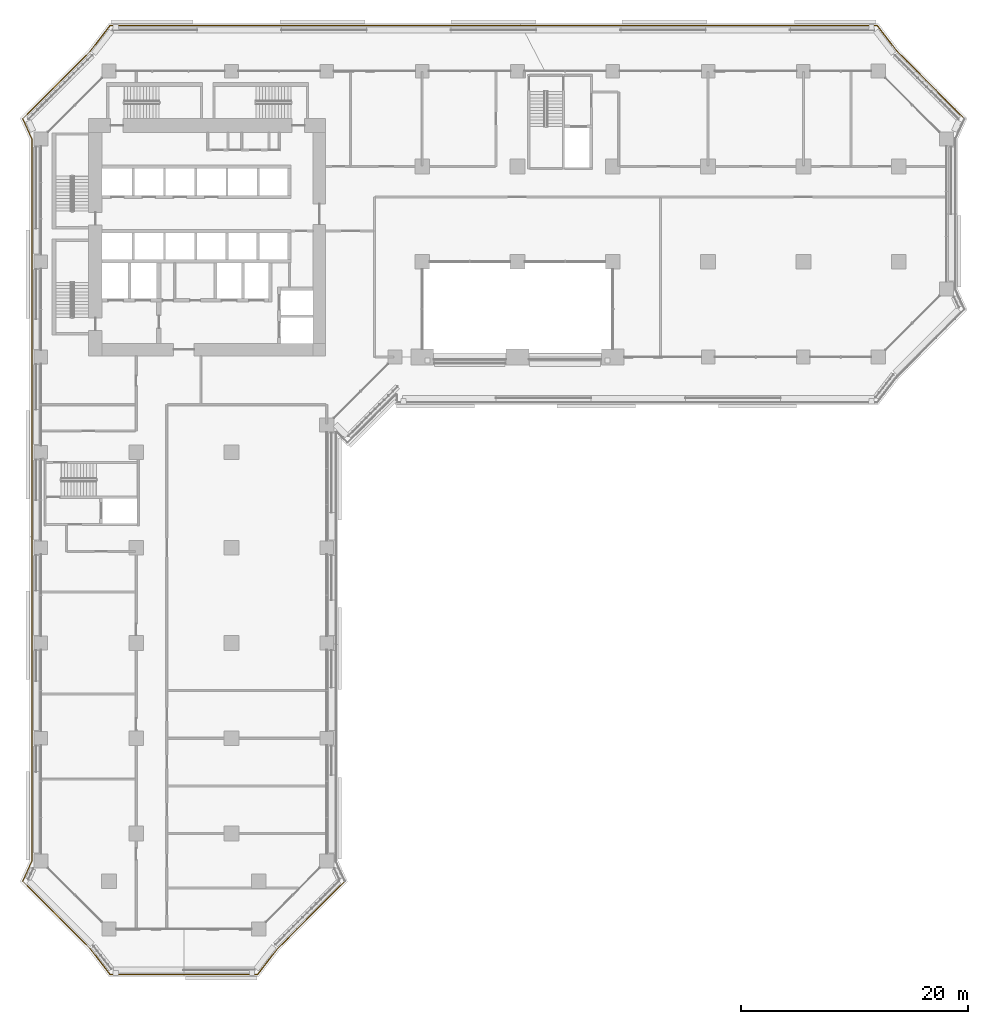
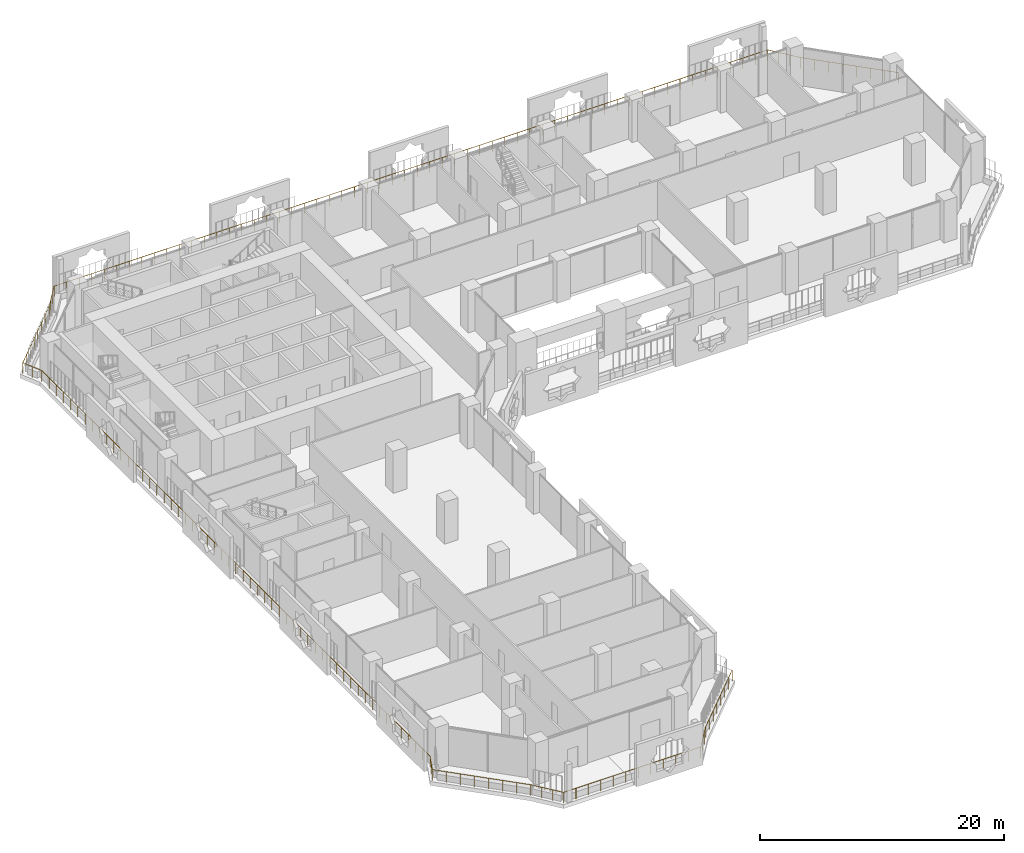
# One storey, part 22 of 27: 1 railing.
"""IFC4 building model written with IfcOpenShell, lengths in metres."""

from ifc_helpers import new_model, si_unit, direction, frame, origin, origin_2d, place, context, subcontext, project, spatial, circle, extrude, material, type_object, element, save


model = new_model("IFC4")

# Units and contexts
model_context = context("Model", 3, precision=1e-05, world=origin(), true_north=direction((0.0, 1.0)))
body_context = subcontext(model_context, "Body", "Model", "MODEL_VIEW")
ifc_project = project(units=[si_unit("LENGTHUNIT", "METRE"), si_unit("AREAUNIT", "SQUARE_METRE"), si_unit("VOLUMEUNIT", "CUBIC_METRE"), si_unit("PLANEANGLEUNIT", "RADIAN"), si_unit("MASSUNIT", "GRAM", prefix="KILO")], contexts=[model_context])

# Site, building, storey
site_placement = place(None, origin())
site = spatial("IfcSite", under=ifc_project, at=site_placement, CompositionType="ELEMENT")
building_placement = place(site_placement, origin())
building = spatial("IfcBuilding", under=site, at=building_placement, Name="Kawkab Arch Medical Tower", CompositionType="ELEMENT")
storey_placement = place(building_placement, frame((0.0, 0.0, 43.39990234375)))
storey = spatial("IfcBuildingStorey", under=building, at=storey_placement, Name="L09", CompositionType="ELEMENT", Elevation=43.39990234375)

# Railing
ifc_material = material(Name="Bronze anodised aluminium guard", Category="aluminium")
railing_type = type_object("IfcRailingType", Name="Loggia and terrace guard 1100", PredefinedType="GUARDRAIL", material=ifc_material)
railing_placement = place(storey_placement, frame((26.798095703125, -71.39501953125, 0.0)))
element("IfcRailing", 1, at=railing_placement, inside=storey, type_object=railing_type, Name="Guard L09.LOG-01.2.1", PredefinedType="GUARDRAIL", context=body_context, shape_type="SweptSolid", body=[
    extrude(circle(Radius=0.02392578125, at=origin_2d()), frame((0.0, 0.0, 1.076171875), z_axis=(-0.707121386154, -0.707092175918, 0.0), x_axis=(0.707092175918, -0.707121386154, 0.0)), (0.0, 0.0, 1.0), 8.358154296875),
    extrude(circle(Radius=0.02392578125, at=origin_2d()), frame((-5.91015625, -5.909912109375, 1.076171875), z_axis=(-0.614103336722, -0.789225627959, 0.0), x_axis=(0.789225627959, -0.614103336722, 0.0)), (0.0, 0.0, 1.0), 2.908203125),
    extrude(circle(Radius=0.02392578125, at=origin_2d()), frame((-7.696044921875, -8.205078125, 1.076171875), z_axis=(-1.0, 0.0, 0.0), x_axis=(0.0, -1.0, 0.0)), (0.0, 0.0, 1.0), 13.004150390625),
    extrude(circle(Radius=0.02392578125, at=origin_2d()), frame((-20.7001953125, -8.205078125, 1.076171875), z_axis=(-0.614103336722, 0.789225627959, 0.0), x_axis=(-0.789225627959, -0.614103336722, 0.0)), (0.0, 0.0, 1.0), 2.908203125),
    extrude(circle(Radius=0.02392578125, at=origin_2d()), frame((-22.486083984375, -5.909912109375, 1.076171875), z_axis=(-0.707106781187, 0.707106781187, 0.0), x_axis=(-0.707106781187, -0.707106781187, 0.0)), (0.0, 0.0, 1.0), 8.35791015625),
    extrude(circle(Radius=0.02392578125, at=origin_2d()), frame((-28.39599609375, 0.0, 1.076171875), z_axis=(0.414452581809, 0.910070907914, 0.0), x_axis=(-0.910070907914, 0.414452581809, 0.0)), (0.0, 0.0, 1.0), 1.925048828125),
    extrude(circle(Radius=0.02392578125, at=origin_2d()), frame((-27.59814453125, 1.751953125, 1.076171875), z_axis=(0.0, 1.0, 0.0), x_axis=(-1.0, 0.0, 0.0)), (0.0, 0.0, 1.0), 63.68603515625),
    extrude(circle(Radius=0.02392578125, at=origin_2d()), frame((-27.59814453125, 65.43798828125, 1.076171875), z_axis=(-0.414452581809, 0.910070907914, 0.0), x_axis=(-0.910070907914, -0.414452581809, 0.0)), (0.0, 0.0, 1.0), 1.925048828125),
    extrude(circle(Radius=0.02392578125, at=origin_2d()), frame((-28.39599609375, 67.18994140625, 1.076171875), z_axis=(0.707092175918, 0.707121386154, 0.0), x_axis=(-0.707121386154, 0.707092175918, 0.0)), (0.0, 0.0, 1.0), 8.358154296875),
    extrude(circle(Radius=0.02392578125, at=origin_2d()), frame((-22.486083984375, 73.10009765625, 1.076171875), z_axis=(0.614144026922, 0.789193964876, 0.0), x_axis=(-0.789193964876, 0.614144026922, 0.0)), (0.0, 0.0, 1.0), 2.907958984375),
    extrude(circle(Radius=0.02392578125, at=origin_2d()), frame((-20.7001953125, 75.39501953125, 1.076171875), z_axis=(1.0, 0.0, 0.0), x_axis=(0.0, 1.0, 0.0)), (0.0, 0.0, 1.0), 67.60400390625),
    extrude(circle(Radius=0.02392578125, at=origin_2d()), frame((46.90380859375, 75.39501953125, 1.076171875), z_axis=(0.614196313452, -0.789153273162, 0.0), x_axis=(0.789153273162, 0.614196313452, 0.0)), (0.0, 0.0, 1.0), 2.908203125),
    extrude(circle(Radius=0.02392578125, at=origin_2d()), frame((48.68994140625, 73.10009765625, 1.076171875), z_axis=(0.707092175918, -0.707121386154, 0.0), x_axis=(0.707121386154, 0.707092175918, 0.0)), (0.0, 0.0, 1.0), 8.358154296875),
    extrude(circle(Radius=0.02099609375, at=origin_2d()), origin(), (0.0, 0.0, 1.0), 1.052001953125),
    extrude(circle(Radius=0.02099609375, at=origin_2d()), frame((-0.84423828125, -0.84423828125, 0.0)), (0.0, 0.0, 1.0), 1.052001953125),
    extrude(circle(Radius=0.02099609375, at=origin_2d()), frame((-1.688720703125, -1.6884765625, 0.0)), (0.0, 0.0, 1.0), 1.052001953125),
    extrude(circle(Radius=0.02099609375, at=origin_2d()), frame((-2.532958984375, -2.53271484375, 0.0)), (0.0, 0.0, 1.0), 1.052001953125),
    extrude(circle(Radius=0.02099609375, at=origin_2d()), frame((-3.377197265625, -3.377197265625, 0.0)), (0.0, 0.0, 1.0), 1.052001953125),
    extrude(circle(Radius=0.02099609375, at=origin_2d()), frame((-4.221435546875, -4.221435546875, 0.0)), (0.0, 0.0, 1.0), 1.052001953125),
    extrude(circle(Radius=0.02099609375, at=origin_2d()), frame((-5.06591796875, -5.065673828125, 0.0)), (0.0, 0.0, 1.0), 1.052001953125),
    extrude(circle(Radius=0.02099609375, at=origin_2d()), frame((-5.91015625, -5.909912109375, 0.0)), (0.0, 0.0, 1.0), 1.052001953125),
    extrude(circle(Radius=0.02099609375, at=origin_2d()), frame((-6.50537109375, -6.675048828125, 0.0)), (0.0, 0.0, 1.0), 1.052001953125),
    extrude(circle(Radius=0.02099609375, at=origin_2d()), frame((-7.100830078125, -7.43994140625, 0.0)), (0.0, 0.0, 1.0), 1.052001953125),
    extrude(circle(Radius=0.02099609375, at=origin_2d()), frame((-7.696044921875, -8.205078125, 0.0)), (0.0, 0.0, 1.0), 1.052001953125),
    extrude(circle(Radius=0.02099609375, at=origin_2d()), frame((-8.878173828125, -8.205078125, 0.0)), (0.0, 0.0, 1.0), 1.052001953125),
    extrude(circle(Radius=0.02099609375, at=origin_2d()), frame((-10.060546875, -8.205078125, 0.0)), (0.0, 0.0, 1.0), 1.052001953125),
    extrude(circle(Radius=0.02099609375, at=origin_2d()), frame((-11.24267578125, -8.205078125, 0.0)), (0.0, 0.0, 1.0), 1.052001953125),
    extrude(circle(Radius=0.02099609375, at=origin_2d()), frame((-12.4248046875, -8.205078125, 0.0)), (0.0, 0.0, 1.0), 1.052001953125),
    extrude(circle(Radius=0.02099609375, at=origin_2d()), frame((-13.60693359375, -8.205078125, 0.0)), (0.0, 0.0, 1.0), 1.052001953125),
    extrude(circle(Radius=0.02099609375, at=origin_2d()), frame((-14.789306640625, -8.205078125, 0.0)), (0.0, 0.0, 1.0), 1.052001953125),
    extrude(circle(Radius=0.02099609375, at=origin_2d()), frame((-15.971435546875, -8.205078125, 0.0)), (0.0, 0.0, 1.0), 1.052001953125),
    extrude(circle(Radius=0.02099609375, at=origin_2d()), frame((-17.153564453125, -8.205078125, 0.0)), (0.0, 0.0, 1.0), 1.052001953125),
    extrude(circle(Radius=0.02099609375, at=origin_2d()), frame((-18.335693359375, -8.205078125, 0.0)), (0.0, 0.0, 1.0), 1.052001953125),
    extrude(circle(Radius=0.02099609375, at=origin_2d()), frame((-19.51806640625, -8.205078125, 0.0)), (0.0, 0.0, 1.0), 1.052001953125),
    extrude(circle(Radius=0.02099609375, at=origin_2d()), frame((-20.7001953125, -8.205078125, 0.0)), (0.0, 0.0, 1.0), 1.052001953125),
    extrude(circle(Radius=0.02099609375, at=origin_2d()), frame((-21.29541015625, -7.43994140625, 0.0)), (0.0, 0.0, 1.0), 1.052001953125),
    extrude(circle(Radius=0.02099609375, at=origin_2d()), frame((-21.890869140625, -6.675048828125, 0.0)), (0.0, 0.0, 1.0), 1.052001953125),
    extrude(circle(Radius=0.02099609375, at=origin_2d()), frame((-22.486083984375, -5.909912109375, 0.0)), (0.0, 0.0, 1.0), 1.052001953125),
    extrude(circle(Radius=0.02099609375, at=origin_2d()), frame((-23.330322265625, -5.065673828125, 0.0)), (0.0, 0.0, 1.0), 1.052001953125),
    extrude(circle(Radius=0.02099609375, at=origin_2d()), frame((-24.174560546875, -4.221435546875, 0.0)), (0.0, 0.0, 1.0), 1.052001953125),
    extrude(circle(Radius=0.02099609375, at=origin_2d()), frame((-25.018798828125, -3.377197265625, 0.0)), (0.0, 0.0, 1.0), 1.052001953125),
    extrude(circle(Radius=0.02099609375, at=origin_2d()), frame((-25.86328125, -2.53271484375, 0.0)), (0.0, 0.0, 1.0), 1.052001953125),
    extrude(circle(Radius=0.02099609375, at=origin_2d()), frame((-26.70751953125, -1.6884765625, 0.0)), (0.0, 0.0, 1.0), 1.052001953125),
    extrude(circle(Radius=0.02099609375, at=origin_2d()), frame((-27.5517578125, -0.84423828125, 0.0)), (0.0, 0.0, 1.0), 1.052001953125),
    extrude(circle(Radius=0.02099609375, at=origin_2d()), frame((-28.39599609375, 0.0, 0.0)), (0.0, 0.0, 1.0), 1.052001953125),
    extrude(circle(Radius=0.02099609375, at=origin_2d()), frame((-27.9970703125, 0.8759765625, 0.0)), (0.0, 0.0, 1.0), 1.052001953125),
    extrude(circle(Radius=0.02099609375, at=origin_2d()), frame((-27.59814453125, 1.751953125, 0.0)), (0.0, 0.0, 1.0), 1.052001953125),
    extrude(circle(Radius=0.02099609375, at=origin_2d()), frame((-27.59814453125, 2.931396484375, 0.0)), (0.0, 0.0, 1.0), 1.052001953125),
    extrude(circle(Radius=0.02099609375, at=origin_2d()), frame((-27.59814453125, 4.110595703125, 0.0)), (0.0, 0.0, 1.0), 1.052001953125),
    extrude(circle(Radius=0.02099609375, at=origin_2d()), frame((-27.59814453125, 5.2900390625, 0.0)), (0.0, 0.0, 1.0), 1.052001953125),
    extrude(circle(Radius=0.02099609375, at=origin_2d()), frame((-27.59814453125, 6.469482421875, 0.0)), (0.0, 0.0, 1.0), 1.052001953125),
    extrude(circle(Radius=0.02099609375, at=origin_2d()), frame((-27.59814453125, 7.64892578125, 0.0)), (0.0, 0.0, 1.0), 1.052001953125),
    extrude(circle(Radius=0.02099609375, at=origin_2d()), frame((-27.59814453125, 8.828125, 0.0)), (0.0, 0.0, 1.0), 1.052001953125),
    extrude(circle(Radius=0.02099609375, at=origin_2d()), frame((-27.59814453125, 10.007568359375, 0.0)), (0.0, 0.0, 1.0), 1.052001953125),
    extrude(circle(Radius=0.02099609375, at=origin_2d()), frame((-27.59814453125, 11.18701171875, 0.0)), (0.0, 0.0, 1.0), 1.052001953125),
    extrude(circle(Radius=0.02099609375, at=origin_2d()), frame((-27.59814453125, 12.3662109375, 0.0)), (0.0, 0.0, 1.0), 1.052001953125),
    extrude(circle(Radius=0.02099609375, at=origin_2d()), frame((-27.59814453125, 13.545654296875, 0.0)), (0.0, 0.0, 1.0), 1.052001953125),
    extrude(circle(Radius=0.02099609375, at=origin_2d()), frame((-27.59814453125, 14.72509765625, 0.0)), (0.0, 0.0, 1.0), 1.052001953125),
    extrude(circle(Radius=0.02099609375, at=origin_2d()), frame((-27.59814453125, 15.904296875, 0.0)), (0.0, 0.0, 1.0), 1.052001953125),
    extrude(circle(Radius=0.02099609375, at=origin_2d()), frame((-27.59814453125, 17.083740234375, 0.0)), (0.0, 0.0, 1.0), 1.052001953125),
    extrude(circle(Radius=0.02099609375, at=origin_2d()), frame((-27.59814453125, 18.26318359375, 0.0)), (0.0, 0.0, 1.0), 1.052001953125),
    extrude(circle(Radius=0.02099609375, at=origin_2d()), frame((-27.59814453125, 19.442626953125, 0.0)), (0.0, 0.0, 1.0), 1.052001953125),
    extrude(circle(Radius=0.02099609375, at=origin_2d()), frame((-27.59814453125, 20.621826171875, 0.0)), (0.0, 0.0, 1.0), 1.052001953125),
    extrude(circle(Radius=0.02099609375, at=origin_2d()), frame((-27.59814453125, 21.80126953125, 0.0)), (0.0, 0.0, 1.0), 1.052001953125),
    extrude(circle(Radius=0.02099609375, at=origin_2d()), frame((-27.59814453125, 22.980712890625, 0.0)), (0.0, 0.0, 1.0), 1.052001953125),
    extrude(circle(Radius=0.02099609375, at=origin_2d()), frame((-27.59814453125, 24.159912109375, 0.0)), (0.0, 0.0, 1.0), 1.052001953125),
    extrude(circle(Radius=0.02099609375, at=origin_2d()), frame((-27.59814453125, 25.33935546875, 0.0)), (0.0, 0.0, 1.0), 1.052001953125),
    extrude(circle(Radius=0.02099609375, at=origin_2d()), frame((-27.59814453125, 26.518798828125, 0.0)), (0.0, 0.0, 1.0), 1.052001953125),
    extrude(circle(Radius=0.02099609375, at=origin_2d()), frame((-27.59814453125, 27.697998046875, 0.0)), (0.0, 0.0, 1.0), 1.052001953125),
    extrude(circle(Radius=0.02099609375, at=origin_2d()), frame((-27.59814453125, 28.87744140625, 0.0)), (0.0, 0.0, 1.0), 1.052001953125),
    extrude(circle(Radius=0.02099609375, at=origin_2d()), frame((-27.59814453125, 30.056884765625, 0.0)), (0.0, 0.0, 1.0), 1.052001953125),
    extrude(circle(Radius=0.02099609375, at=origin_2d()), frame((-27.59814453125, 31.236328125, 0.0)), (0.0, 0.0, 1.0), 1.052001953125),
    extrude(circle(Radius=0.02099609375, at=origin_2d()), frame((-27.59814453125, 32.41552734375, 0.0)), (0.0, 0.0, 1.0), 1.052001953125),
    extrude(circle(Radius=0.02099609375, at=origin_2d()), frame((-27.59814453125, 33.594970703125, 0.0)), (0.0, 0.0, 1.0), 1.052001953125),
    extrude(circle(Radius=0.02099609375, at=origin_2d()), frame((-27.59814453125, 34.7744140625, 0.0)), (0.0, 0.0, 1.0), 1.052001953125),
    extrude(circle(Radius=0.02099609375, at=origin_2d()), frame((-27.59814453125, 35.95361328125, 0.0)), (0.0, 0.0, 1.0), 1.052001953125),
    extrude(circle(Radius=0.02099609375, at=origin_2d()), frame((-27.59814453125, 37.133056640625, 0.0)), (0.0, 0.0, 1.0), 1.052001953125),
    extrude(circle(Radius=0.02099609375, at=origin_2d()), frame((-27.59814453125, 38.3125, 0.0)), (0.0, 0.0, 1.0), 1.052001953125),
    extrude(circle(Radius=0.02099609375, at=origin_2d()), frame((-27.59814453125, 39.491943359375, 0.0)), (0.0, 0.0, 1.0), 1.052001953125),
    extrude(circle(Radius=0.02099609375, at=origin_2d()), frame((-27.59814453125, 40.671142578125, 0.0)), (0.0, 0.0, 1.0), 1.052001953125),
    extrude(circle(Radius=0.02099609375, at=origin_2d()), frame((-27.59814453125, 41.8505859375, 0.0)), (0.0, 0.0, 1.0), 1.052001953125),
    extrude(circle(Radius=0.02099609375, at=origin_2d()), frame((-27.59814453125, 43.030029296875, 0.0)), (0.0, 0.0, 1.0), 1.052001953125),
    extrude(circle(Radius=0.02099609375, at=origin_2d()), frame((-27.59814453125, 44.209228515625, 0.0)), (0.0, 0.0, 1.0), 1.052001953125),
    extrude(circle(Radius=0.02099609375, at=origin_2d()), frame((-27.59814453125, 45.388671875, 0.0)), (0.0, 0.0, 1.0), 1.052001953125),
    extrude(circle(Radius=0.02099609375, at=origin_2d()), frame((-27.59814453125, 46.568115234375, 0.0)), (0.0, 0.0, 1.0), 1.052001953125),
    extrude(circle(Radius=0.02099609375, at=origin_2d()), frame((-27.59814453125, 47.747314453125, 0.0)), (0.0, 0.0, 1.0), 1.052001953125),
    extrude(circle(Radius=0.02099609375, at=origin_2d()), frame((-27.59814453125, 48.9267578125, 0.0)), (0.0, 0.0, 1.0), 1.052001953125),
    extrude(circle(Radius=0.02099609375, at=origin_2d()), frame((-27.59814453125, 50.106201171875, 0.0)), (0.0, 0.0, 1.0), 1.052001953125),
    extrude(circle(Radius=0.02099609375, at=origin_2d()), frame((-27.59814453125, 51.28564453125, 0.0)), (0.0, 0.0, 1.0), 1.052001953125),
    extrude(circle(Radius=0.02099609375, at=origin_2d()), frame((-27.59814453125, 52.46484375, 0.0)), (0.0, 0.0, 1.0), 1.052001953125),
    extrude(circle(Radius=0.02099609375, at=origin_2d()), frame((-27.59814453125, 53.644287109375, 0.0)), (0.0, 0.0, 1.0), 1.052001953125),
    extrude(circle(Radius=0.02099609375, at=origin_2d()), frame((-27.59814453125, 54.82373046875, 0.0)), (0.0, 0.0, 1.0), 1.052001953125),
    extrude(circle(Radius=0.02099609375, at=origin_2d()), frame((-27.59814453125, 56.0029296875, 0.0)), (0.0, 0.0, 1.0), 1.052001953125),
    extrude(circle(Radius=0.02099609375, at=origin_2d()), frame((-27.59814453125, 57.182373046875, 0.0)), (0.0, 0.0, 1.0), 1.052001953125),
    extrude(circle(Radius=0.02099609375, at=origin_2d()), frame((-27.59814453125, 58.36181640625, 0.0)), (0.0, 0.0, 1.0), 1.052001953125),
    extrude(circle(Radius=0.02099609375, at=origin_2d()), frame((-27.59814453125, 59.541015625, 0.0)), (0.0, 0.0, 1.0), 1.052001953125),
    extrude(circle(Radius=0.02099609375, at=origin_2d()), frame((-27.59814453125, 60.720458984375, 0.0)), (0.0, 0.0, 1.0), 1.052001953125),
    extrude(circle(Radius=0.02099609375, at=origin_2d()), frame((-27.59814453125, 61.89990234375, 0.0)), (0.0, 0.0, 1.0), 1.052001953125),
    extrude(circle(Radius=0.02099609375, at=origin_2d()), frame((-27.59814453125, 63.079345703125, 0.0)), (0.0, 0.0, 1.0), 1.052001953125),
    extrude(circle(Radius=0.02099609375, at=origin_2d()), frame((-27.59814453125, 64.258544921875, 0.0)), (0.0, 0.0, 1.0), 1.052001953125),
    extrude(circle(Radius=0.02099609375, at=origin_2d()), frame((-27.59814453125, 65.43798828125, 0.0)), (0.0, 0.0, 1.0), 1.052001953125),
    extrude(circle(Radius=0.02099609375, at=origin_2d()), frame((-27.9970703125, 66.31396484375, 0.0)), (0.0, 0.0, 1.0), 1.052001953125),
    extrude(circle(Radius=0.02099609375, at=origin_2d()), frame((-28.39599609375, 67.18994140625, 0.0)), (0.0, 0.0, 1.0), 1.052001953125),
    extrude(circle(Radius=0.02099609375, at=origin_2d()), frame((-27.5517578125, 68.0341796875, 0.0)), (0.0, 0.0, 1.0), 1.052001953125),
    extrude(circle(Radius=0.02099609375, at=origin_2d()), frame((-26.70751953125, 68.878662109375, 0.0)), (0.0, 0.0, 1.0), 1.052001953125),
    extrude(circle(Radius=0.02099609375, at=origin_2d()), frame((-25.86328125, 69.722900390625, 0.0)), (0.0, 0.0, 1.0), 1.052001953125),
    extrude(circle(Radius=0.02099609375, at=origin_2d()), frame((-25.018798828125, 70.567138671875, 0.0)), (0.0, 0.0, 1.0), 1.052001953125),
    extrude(circle(Radius=0.02099609375, at=origin_2d()), frame((-24.174560546875, 71.411376953125, 0.0)), (0.0, 0.0, 1.0), 1.052001953125),
    extrude(circle(Radius=0.02099609375, at=origin_2d()), frame((-23.330322265625, 72.255859375, 0.0)), (0.0, 0.0, 1.0), 1.052001953125),
    extrude(circle(Radius=0.02099609375, at=origin_2d()), frame((-22.486083984375, 73.10009765625, 0.0)), (0.0, 0.0, 1.0), 1.052001953125),
    extrude(circle(Radius=0.02099609375, at=origin_2d()), frame((-21.890869140625, 73.864990234375, 0.0)), (0.0, 0.0, 1.0), 1.052001953125),
    extrude(circle(Radius=0.02099609375, at=origin_2d()), frame((-21.29541015625, 74.630126953125, 0.0)), (0.0, 0.0, 1.0), 1.052001953125),
    extrude(circle(Radius=0.02099609375, at=origin_2d()), frame((-20.7001953125, 75.39501953125, 0.0)), (0.0, 0.0, 1.0), 1.052001953125),
    extrude(circle(Radius=0.02099609375, at=origin_2d()), frame((-19.51416015625, 75.39501953125, 0.0)), (0.0, 0.0, 1.0), 1.052001953125),
    extrude(circle(Radius=0.02099609375, at=origin_2d()), frame((-18.328125, 75.39501953125, 0.0)), (0.0, 0.0, 1.0), 1.052001953125),
    extrude(circle(Radius=0.02099609375, at=origin_2d()), frame((-17.14208984375, 75.39501953125, 0.0)), (0.0, 0.0, 1.0), 1.052001953125),
    extrude(circle(Radius=0.02099609375, at=origin_2d()), frame((-15.9560546875, 75.39501953125, 0.0)), (0.0, 0.0, 1.0), 1.052001953125),
    extrude(circle(Radius=0.02099609375, at=origin_2d()), frame((-14.77001953125, 75.39501953125, 0.0)), (0.0, 0.0, 1.0), 1.052001953125),
    extrude(circle(Radius=0.02099609375, at=origin_2d()), frame((-13.583984375, 75.39501953125, 0.0)), (0.0, 0.0, 1.0), 1.052001953125),
    extrude(circle(Radius=0.02099609375, at=origin_2d()), frame((-12.39794921875, 75.39501953125, 0.0)), (0.0, 0.0, 1.0), 1.052001953125),
    extrude(circle(Radius=0.02099609375, at=origin_2d()), frame((-11.2119140625, 75.39501953125, 0.0)), (0.0, 0.0, 1.0), 1.052001953125),
    extrude(circle(Radius=0.02099609375, at=origin_2d()), frame((-10.02587890625, 75.39501953125, 0.0)), (0.0, 0.0, 1.0), 1.052001953125),
    extrude(circle(Radius=0.02099609375, at=origin_2d()), frame((-8.83984375, 75.39501953125, 0.0)), (0.0, 0.0, 1.0), 1.052001953125),
    extrude(circle(Radius=0.02099609375, at=origin_2d()), frame((-7.65380859375, 75.39501953125, 0.0)), (0.0, 0.0, 1.0), 1.052001953125),
    extrude(circle(Radius=0.02099609375, at=origin_2d()), frame((-6.4677734375, 75.39501953125, 0.0)), (0.0, 0.0, 1.0), 1.052001953125),
    extrude(circle(Radius=0.02099609375, at=origin_2d()), frame((-5.28173828125, 75.39501953125, 0.0)), (0.0, 0.0, 1.0), 1.052001953125),
    extrude(circle(Radius=0.02099609375, at=origin_2d()), frame((-4.095703125, 75.39501953125, 0.0)), (0.0, 0.0, 1.0), 1.052001953125),
    extrude(circle(Radius=0.02099609375, at=origin_2d()), frame((-2.90966796875, 75.39501953125, 0.0)), (0.0, 0.0, 1.0), 1.052001953125),
    extrude(circle(Radius=0.02099609375, at=origin_2d()), frame((-1.7236328125, 75.39501953125, 0.0)), (0.0, 0.0, 1.0), 1.052001953125),
    extrude(circle(Radius=0.02099609375, at=origin_2d()), frame((-0.53759765625, 75.39501953125, 0.0)), (0.0, 0.0, 1.0), 1.052001953125),
    extrude(circle(Radius=0.02099609375, at=origin_2d()), frame((0.6484375, 75.39501953125, 0.0)), (0.0, 0.0, 1.0), 1.052001953125),
    extrude(circle(Radius=0.02099609375, at=origin_2d()), frame((1.83447265625, 75.39501953125, 0.0)), (0.0, 0.0, 1.0), 1.052001953125),
    extrude(circle(Radius=0.02099609375, at=origin_2d()), frame((3.0205078125, 75.39501953125, 0.0)), (0.0, 0.0, 1.0), 1.052001953125),
    extrude(circle(Radius=0.02099609375, at=origin_2d()), frame((4.20654296875, 75.39501953125, 0.0)), (0.0, 0.0, 1.0), 1.052001953125),
    extrude(circle(Radius=0.02099609375, at=origin_2d()), frame((5.392578125, 75.39501953125, 0.0)), (0.0, 0.0, 1.0), 1.052001953125),
    extrude(circle(Radius=0.02099609375, at=origin_2d()), frame((6.57861328125, 75.39501953125, 0.0)), (0.0, 0.0, 1.0), 1.052001953125),
    extrude(circle(Radius=0.02099609375, at=origin_2d()), frame((7.7646484375, 75.39501953125, 0.0)), (0.0, 0.0, 1.0), 1.052001953125),
    extrude(circle(Radius=0.02099609375, at=origin_2d()), frame((8.95068359375, 75.39501953125, 0.0)), (0.0, 0.0, 1.0), 1.052001953125),
    extrude(circle(Radius=0.02099609375, at=origin_2d()), frame((10.13671875, 75.39501953125, 0.0)), (0.0, 0.0, 1.0), 1.052001953125),
    extrude(circle(Radius=0.02099609375, at=origin_2d()), frame((11.32275390625, 75.39501953125, 0.0)), (0.0, 0.0, 1.0), 1.052001953125),
    extrude(circle(Radius=0.02099609375, at=origin_2d()), frame((12.5087890625, 75.39501953125, 0.0)), (0.0, 0.0, 1.0), 1.052001953125),
    extrude(circle(Radius=0.02099609375, at=origin_2d()), frame((13.69482421875, 75.39501953125, 0.0)), (0.0, 0.0, 1.0), 1.052001953125),
    extrude(circle(Radius=0.02099609375, at=origin_2d()), frame((14.880859375, 75.39501953125, 0.0)), (0.0, 0.0, 1.0), 1.052001953125),
    extrude(circle(Radius=0.02099609375, at=origin_2d()), frame((16.06689453125, 75.39501953125, 0.0)), (0.0, 0.0, 1.0), 1.052001953125),
    extrude(circle(Radius=0.02099609375, at=origin_2d()), frame((17.2529296875, 75.39501953125, 0.0)), (0.0, 0.0, 1.0), 1.052001953125),
    extrude(circle(Radius=0.02099609375, at=origin_2d()), frame((18.43896484375, 75.39501953125, 0.0)), (0.0, 0.0, 1.0), 1.052001953125),
    extrude(circle(Radius=0.02099609375, at=origin_2d()), frame((19.625, 75.39501953125, 0.0)), (0.0, 0.0, 1.0), 1.052001953125),
    extrude(circle(Radius=0.02099609375, at=origin_2d()), frame((20.81103515625, 75.39501953125, 0.0)), (0.0, 0.0, 1.0), 1.052001953125),
    extrude(circle(Radius=0.02099609375, at=origin_2d()), frame((21.9970703125, 75.39501953125, 0.0)), (0.0, 0.0, 1.0), 1.052001953125),
    extrude(circle(Radius=0.02099609375, at=origin_2d()), frame((23.18310546875, 75.39501953125, 0.0)), (0.0, 0.0, 1.0), 1.052001953125),
    extrude(circle(Radius=0.02099609375, at=origin_2d()), frame((24.369140625, 75.39501953125, 0.0)), (0.0, 0.0, 1.0), 1.052001953125),
    extrude(circle(Radius=0.02099609375, at=origin_2d()), frame((25.55517578125, 75.39501953125, 0.0)), (0.0, 0.0, 1.0), 1.052001953125),
    extrude(circle(Radius=0.02099609375, at=origin_2d()), frame((26.7412109375, 75.39501953125, 0.0)), (0.0, 0.0, 1.0), 1.052001953125),
    extrude(circle(Radius=0.02099609375, at=origin_2d()), frame((27.92724609375, 75.39501953125, 0.0)), (0.0, 0.0, 1.0), 1.052001953125),
    extrude(circle(Radius=0.02099609375, at=origin_2d()), frame((29.11328125, 75.39501953125, 0.0)), (0.0, 0.0, 1.0), 1.052001953125),
    extrude(circle(Radius=0.02099609375, at=origin_2d()), frame((30.29931640625, 75.39501953125, 0.0)), (0.0, 0.0, 1.0), 1.052001953125),
    extrude(circle(Radius=0.02099609375, at=origin_2d()), frame((31.4853515625, 75.39501953125, 0.0)), (0.0, 0.0, 1.0), 1.052001953125),
    extrude(circle(Radius=0.02099609375, at=origin_2d()), frame((32.67138671875, 75.39501953125, 0.0)), (0.0, 0.0, 1.0), 1.052001953125),
    extrude(circle(Radius=0.02099609375, at=origin_2d()), frame((33.857421875, 75.39501953125, 0.0)), (0.0, 0.0, 1.0), 1.052001953125),
    extrude(circle(Radius=0.02099609375, at=origin_2d()), frame((35.04345703125, 75.39501953125, 0.0)), (0.0, 0.0, 1.0), 1.052001953125),
    extrude(circle(Radius=0.02099609375, at=origin_2d()), frame((36.2294921875, 75.39501953125, 0.0)), (0.0, 0.0, 1.0), 1.052001953125),
    extrude(circle(Radius=0.02099609375, at=origin_2d()), frame((37.41552734375, 75.39501953125, 0.0)), (0.0, 0.0, 1.0), 1.052001953125),
    extrude(circle(Radius=0.02099609375, at=origin_2d()), frame((38.6015625, 75.39501953125, 0.0)), (0.0, 0.0, 1.0), 1.052001953125),
    extrude(circle(Radius=0.02099609375, at=origin_2d()), frame((39.78759765625, 75.39501953125, 0.0)), (0.0, 0.0, 1.0), 1.052001953125),
    extrude(circle(Radius=0.02099609375, at=origin_2d()), frame((40.9736328125, 75.39501953125, 0.0)), (0.0, 0.0, 1.0), 1.052001953125),
    extrude(circle(Radius=0.02099609375, at=origin_2d()), frame((42.15966796875, 75.39501953125, 0.0)), (0.0, 0.0, 1.0), 1.052001953125),
    extrude(circle(Radius=0.02099609375, at=origin_2d()), frame((43.345703125, 75.39501953125, 0.0)), (0.0, 0.0, 1.0), 1.052001953125),
    extrude(circle(Radius=0.02099609375, at=origin_2d()), frame((44.53173828125, 75.39501953125, 0.0)), (0.0, 0.0, 1.0), 1.052001953125),
    extrude(circle(Radius=0.02099609375, at=origin_2d()), frame((45.7177734375, 75.39501953125, 0.0)), (0.0, 0.0, 1.0), 1.052001953125),
    extrude(circle(Radius=0.02099609375, at=origin_2d()), frame((46.90380859375, 75.39501953125, 0.0)), (0.0, 0.0, 1.0), 1.052001953125),
    extrude(circle(Radius=0.02099609375, at=origin_2d()), frame((47.499267578125, 74.630126953125, 0.0)), (0.0, 0.0, 1.0), 1.052001953125),
    extrude(circle(Radius=0.02099609375, at=origin_2d()), frame((48.094482421875, 73.864990234375, 0.0)), (0.0, 0.0, 1.0), 1.052001953125),
    extrude(circle(Radius=0.02099609375, at=origin_2d()), frame((48.68994140625, 73.10009765625, 0.0)), (0.0, 0.0, 1.0), 1.052001953125),
    extrude(circle(Radius=0.02099609375, at=origin_2d()), frame((49.5341796875, 72.255859375, 0.0)), (0.0, 0.0, 1.0), 1.052001953125),
    extrude(circle(Radius=0.02099609375, at=origin_2d()), frame((50.37841796875, 71.411376953125, 0.0)), (0.0, 0.0, 1.0), 1.052001953125),
    extrude(circle(Radius=0.02099609375, at=origin_2d()), frame((51.22265625, 70.567138671875, 0.0)), (0.0, 0.0, 1.0), 1.052001953125),
    extrude(circle(Radius=0.02099609375, at=origin_2d()), frame((52.067138671875, 69.722900390625, 0.0)), (0.0, 0.0, 1.0), 1.052001953125),
    extrude(circle(Radius=0.02099609375, at=origin_2d()), frame((52.911376953125, 68.878662109375, 0.0)), (0.0, 0.0, 1.0), 1.052001953125),
    extrude(circle(Radius=0.02099609375, at=origin_2d()), frame((53.755615234375, 68.0341796875, 0.0)), (0.0, 0.0, 1.0), 1.052001953125),
    extrude(circle(Radius=0.02099609375, at=origin_2d()), frame((54.599853515625, 67.18994140625, 0.0)), (0.0, 0.0, 1.0), 1.052001953125),
])

save(model, "model.ifc")
